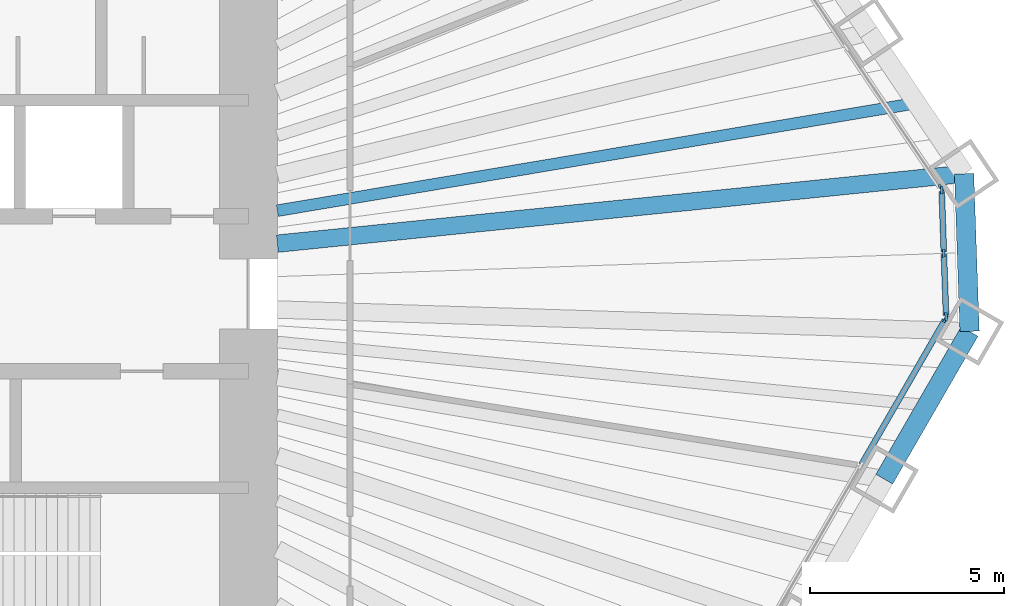
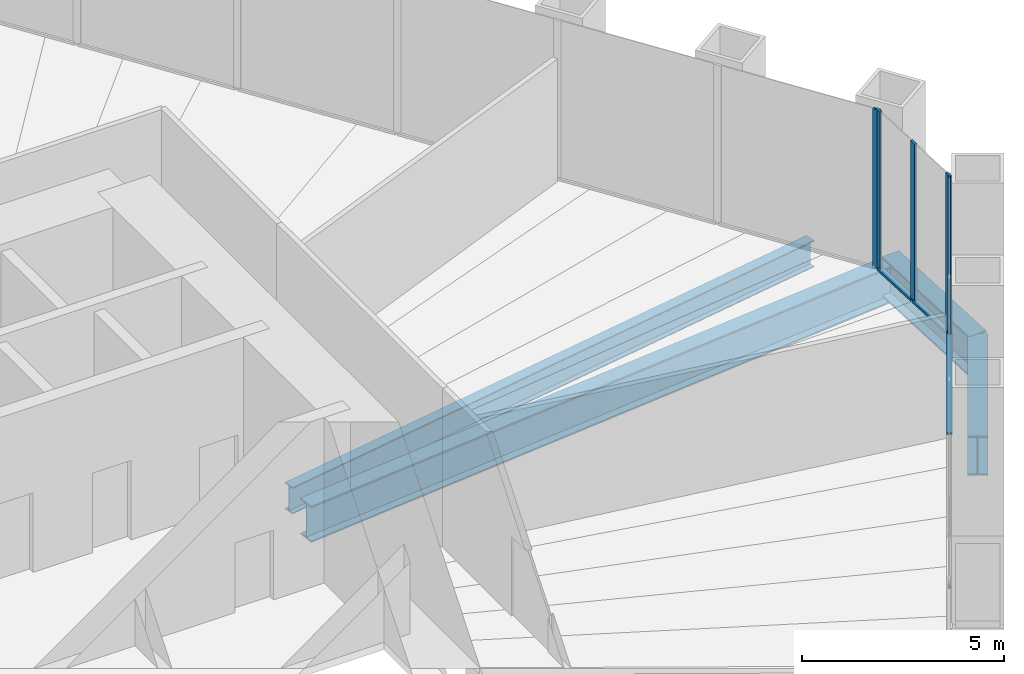
# One storey, part 5 of 13: 8 members, 4 beams, 3 elements without a shape of their own.
"""IFC4 building model written with IfcOpenShell, lengths in metres."""

from ifc_helpers import new_model, si_unit, direction, frame, origin, origin_2d, place, context, subcontext, project, spatial, rectangle, i_section, extrude, material, material_profile, profile_set, type_object, element, aggregate, save


model = new_model("IFC4")

# Units and contexts
model_context = context("Model", 3, precision=1e-05, world=origin(), true_north=direction((0.0, 1.0)))
body_context = subcontext(model_context, "Body", "Model", "MODEL_VIEW")
ifc_project = project(units=[si_unit("LENGTHUNIT", "METRE"), si_unit("AREAUNIT", "SQUARE_METRE"), si_unit("VOLUMEUNIT", "CUBIC_METRE"), si_unit("PLANEANGLEUNIT", "RADIAN"), si_unit("MASSUNIT", "GRAM", prefix="KILO")], contexts=[model_context])

# Site, building, storey
site_placement = place(None, origin())
site = spatial("IfcSite", under=ifc_project, at=site_placement, CompositionType="ELEMENT")
building_placement = place(site_placement, origin())
building = spatial("IfcBuilding", under=site, at=building_placement, Name="Qingtian Harvest Tower", CompositionType="ELEMENT")
storey_placement = place(building_placement, frame((0.0, 0.0, 47.0)))
storey = spatial("IfcBuildingStorey", under=building, at=storey_placement, Name="L09", CompositionType="ELEMENT", Elevation=47.0)

# Beams
ifc_material_1 = material(Name="Steel SM570MC", Category="steel")
ifc_material_profile_1 = material_profile(ifc_material_1, i_section(OverallWidth=0.449951171875, OverallDepth=1.10009765625, WebThickness=0.02197265625, FlangeThickness=0.044921875, at=origin_2d()), Name="H1100x450x22x45")
ifc_profile_set_1 = profile_set([ifc_material_profile_1], Name="Steel SM570MC")
beam_type_1 = type_object("IfcBeamType", Name="Corner floor beam FB8 H1100x450x22x45", PredefinedType="BEAM", material=ifc_profile_set_1)
beam_1_placement = place(storey_placement, frame((30.476318359375, 3.100830078125, -0.75), z_axis=(-0.994864371567, -0.101217005423, 0.0), x_axis=(0.101217005423, -0.994864371567, 0.0)))
element("IfcBeam", 1, at=beam_1_placement, inside=storey, type_object=beam_type_1, Name="Floor beam FB8 NE6", PredefinedType="BEAM", context=body_context, shape_type="SweptSolid", body=[
    extrude(i_section(OverallWidth=0.449951171875, OverallDepth=1.10009765625, WebThickness=0.02197265625, FlangeThickness=0.044921875, at=origin_2d()), origin(), (0.0, 0.0, 1.0), 17.81787109375),
])
ifc_material_2 = material(Name="Steel SN490B", Category="steel")
ifc_material_profile_2 = material_profile(ifc_material_2, i_section(OverallWidth=0.300048828125, OverallDepth=0.800048828125, WebThickness=0.013916015625, FlangeThickness=0.02587890625, at=origin_2d()), Name="H800x300x14x26")
ifc_profile_set_2 = profile_set([ifc_material_profile_2], Name="Steel SN490B")
beam_type_2 = type_object("IfcBeamType", Name="Floor joist J1 H800x300x14x26", PredefinedType="JOIST", material=ifc_profile_set_2)
beam_2_placement = place(storey_placement, frame((29.244873046875, 4.926513671875, -0.60009765625), z_axis=(-0.986107238024, -0.166109948877, 0.0), x_axis=(0.166109948877, -0.986107238024, 0.0)))
element("IfcBeam", 2, at=beam_2_placement, inside=storey, type_object=beam_type_2, Name="Floor joist J1 NE5", PredefinedType="JOIST", context=body_context, shape_type="SweptSolid", body=[
    extrude(i_section(OverallWidth=0.300048828125, OverallDepth=0.800048828125, WebThickness=0.013916015625, FlangeThickness=0.02587890625, at=origin_2d()), origin(), (0.0, 0.0, 1.0), 16.727294921875),
])

# Curtain wall, member
ifc_material_3 = material(Name="Bronze-anodised aluminium curtain wall", Category="aluminium")
curtain_wall_type = type_object("IfcCurtainWallType", Name="Curtain wall CW2 farm reception", PredefinedType="USERDEFINED", material=ifc_material_3)
curtain_wall_1_placement = place(storey_placement, origin())
curtain_wall_1 = element("IfcCurtainWall", 3, at=curtain_wall_1_placement, inside=storey, type_object=curtain_wall_type, Name="Curtain wall CW2 L09 NE0-5", ObjectType="RECESSED CURTAIN WALL", PredefinedType="USERDEFINED")
ifc_material_4 = material(Name="Bronze-anodised aluminium mullion", Category="aluminium")
ifc_material_profile_3 = material_profile(ifc_material_4, rectangle(XDim=0.06494140625, YDim=0.199951171875, at=origin_2d()), Name="AL 65x200")
ifc_profile_set_3 = profile_set([ifc_material_profile_3], Name="Bronze-anodised aluminium mullion")
member_type_1 = type_object("IfcMemberType", Name="Mullion CWM 65x200", PredefinedType="MULLION", material=ifc_profile_set_3)
member_1_placement = place(storey_placement, frame((29.8779296875, 2.736328125, 0.0), z_axis=(0.0, 0.0, 1.0), x_axis=(0.829037572555, 0.559192903471, 0.0)))
member_1 = element("IfcMember", 4, at=member_1_placement, type_object=member_type_1, Name="CW2 mullion 7", PredefinedType="MULLION", context=body_context, shape_type="SweptSolid", body=[
    extrude(rectangle(XDim=0.06494140625, YDim=0.199951171875, at=origin_2d()), origin(), (0.0, 0.0, 1.0), 4.800048828125),
])
aggregate(curtain_wall_1, [member_1])

# Curtain wall, members
curtain_wall_2_placement = place(storey_placement, origin())
curtain_wall_2 = element("IfcCurtainWall", 5, at=curtain_wall_2_placement, inside=storey, type_object=curtain_wall_type, Name="Curtain wall CW2 L09 NEC", ObjectType="RECESSED CURTAIN WALL", PredefinedType="USERDEFINED")
member_2_placement = place(storey_placement, frame((29.897216796875, 2.677001953125, 0.0), z_axis=(0.0, 0.0, 1.0), x_axis=(0.999390827019, 0.034899496703, 0.0)))
member_2 = element("IfcMember", 6, at=member_2_placement, type_object=member_type_1, Name="CW2 mullion 1", PredefinedType="MULLION", context=body_context, shape_type="SweptSolid", body=[
    extrude(rectangle(XDim=0.06494140625, YDim=0.199951171875, at=origin_2d()), origin(), (0.0, 0.0, 1.0), 4.800048828125),
])
member_3_placement = place(storey_placement, frame((29.9541015625, 1.046142578125, 0.0), z_axis=(0.0, 0.0, 1.0), x_axis=(0.999390827019, 0.034899496703, 0.0)))
member_3 = element("IfcMember", 7, at=member_3_placement, type_object=member_type_1, Name="CW2 mullion 2", PredefinedType="MULLION", context=body_context, shape_type="SweptSolid", body=[
    extrude(rectangle(XDim=0.06494140625, YDim=0.199951171875, at=origin_2d()), origin(), (0.0, 0.0, 1.0), 4.800048828125),
])
member_4_placement = place(storey_placement, frame((30.010986328125, -0.5849609375, 0.0), z_axis=(0.0, 0.0, 1.0), x_axis=(0.999390827019, 0.034899496703, 0.0)))
member_4 = element("IfcMember", 8, at=member_4_placement, type_object=member_type_1, Name="CW2 mullion 3", PredefinedType="MULLION", context=body_context, shape_type="SweptSolid", body=[
    extrude(rectangle(XDim=0.06494140625, YDim=0.199951171875, at=origin_2d()), origin(), (0.0, 0.0, 1.0), 4.800048828125),
])

# Curtain wall, member
curtain_wall_3_placement = place(storey_placement, origin())
curtain_wall_3 = element("IfcCurtainWall", 9, at=curtain_wall_3_placement, inside=storey, type_object=curtain_wall_type, Name="Curtain wall CW2 L09 SE0-5", ObjectType="RECESSED CURTAIN WALL", PredefinedType="USERDEFINED")
member_5_placement = place(storey_placement, frame((29.995849609375, -0.6455078125, 0.0), z_axis=(0.0, 0.0, 1.0), x_axis=(0.866025403784, -0.5, 0.0)))
member_5 = element("IfcMember", 10, at=member_5_placement, type_object=member_type_1, Name="CW2 mullion 1", PredefinedType="MULLION", context=body_context, shape_type="SweptSolid", body=[
    extrude(rectangle(XDim=0.06494140625, YDim=0.199951171875, at=origin_2d()), origin(), (0.0, 0.0, 1.0), 4.800048828125),
])

# Beams
ifc_material_5 = material(Name="Steel SM570MC", Category="steel")
ifc_material_profile_4 = material_profile(ifc_material_5, i_section(OverallWidth=0.5, OverallDepth=1.199951171875, WebThickness=0.02490234375, FlangeThickness=0.050048828125, at=origin_2d()), Name="H1200x500x25x50")
ifc_profile_set_4 = profile_set([ifc_material_profile_4], Name="Steel SM570MC")
beam_type_3 = type_object("IfcBeamType", Name="Spandrel beam SB1 H1200x500x25x50", PredefinedType="SPANDREL", material=ifc_profile_set_4)
beam_3_placement = place(storey_placement, frame((30.476318359375, 3.100830078125, -0.60009765625), z_axis=(0.03490639867, -0.999390585973, 0.0), x_axis=(0.999390585973, 0.03490639867, 0.0)))
element("IfcBeam", 11, at=beam_3_placement, inside=storey, type_object=beam_type_3, Name="Spandrel SB1 NEC", PredefinedType="SPANDREL", context=body_context, shape_type="SweptSolid", body=[
    extrude(i_section(OverallWidth=0.5, OverallDepth=1.199951171875, WebThickness=0.02490234375, FlangeThickness=0.050048828125, at=origin_2d()), origin(), (0.0, 0.0, 1.0), 4.070556640625),
])
beam_4_placement = place(storey_placement, frame((30.618408203125, -0.96728515625, -0.60009765625), z_axis=(-0.50001992892, -0.866013897511, 0.0), x_axis=(0.866013897511, -0.50001992892, 0.0)))
element("IfcBeam", 12, at=beam_4_placement, inside=storey, type_object=beam_type_3, Name="Spandrel SB1 SE0", PredefinedType="SPANDREL", context=body_context, shape_type="SweptSolid", body=[
    extrude(i_section(OverallWidth=0.5, OverallDepth=1.199951171875, WebThickness=0.02490234375, FlangeThickness=0.050048828125, at=origin_2d()), origin(), (0.0, 0.0, 1.0), 4.404541015625),
])

# Member
ifc_material_6 = material(Name="Bronze-anodised aluminium transom", Category="aluminium")
ifc_material_profile_5 = material_profile(ifc_material_6, rectangle(XDim=0.14990234375, YDim=0.06494140625, at=origin_2d()), Name="AL 65x150")
ifc_profile_set_5 = profile_set([ifc_material_profile_5], Name="Bronze-anodised aluminium transom")
member_type_2 = type_object("IfcMemberType", Name="Transom CWT 65x150", PredefinedType="USERDEFINED", material=ifc_profile_set_5)
member_6_placement = place(storey_placement, frame((29.898193359375, 2.64453125, 0.032470703125), z_axis=(0.034902326647, -0.999390728191, 0.0), x_axis=(0.999390728191, 0.034902326647, 0.0)))
member_6 = element("IfcMember", 13, at=member_6_placement, type_object=member_type_2, Name="CW2 transom 1.1", ObjectType="TRANSOM", PredefinedType="USERDEFINED", context=body_context, shape_type="SweptSolid", body=[
    extrude(rectangle(XDim=0.14990234375, YDim=0.06494140625, at=origin_2d()), origin(), (0.0, 0.0, 1.0), 1.56689453125),
])

member_7_placement = place(storey_placement, frame((29.955322265625, 1.013427734375, 0.032470703125), z_axis=(0.034902326647, -0.999390728191, 0.0), x_axis=(0.999390728191, 0.034902326647, 0.0)))
member_7 = element("IfcMember", 14, at=member_7_placement, type_object=member_type_2, Name="CW2 transom 2.1", ObjectType="TRANSOM", PredefinedType="USERDEFINED", context=body_context, shape_type="SweptSolid", body=[
    extrude(rectangle(XDim=0.14990234375, YDim=0.06494140625, at=origin_2d()), origin(), (0.0, 0.0, 1.0), 1.56689453125),
])

aggregate(curtain_wall_2, [member_2, member_3, member_4, member_6, member_7])

member_8_placement = place(storey_placement, frame((29.979736328125, -0.673583984375, 0.032470703125), z_axis=(-0.499985768833, -0.866033619997, 0.0), x_axis=(0.866033619997, -0.499985768833, 0.0)))
member_8 = element("IfcMember", 15, at=member_8_placement, type_object=member_type_2, Name="CW2 transom 1.1", ObjectType="TRANSOM", PredefinedType="USERDEFINED", context=body_context, shape_type="SweptSolid", body=[
    extrude(rectangle(XDim=0.14990234375, YDim=0.06494140625, at=origin_2d()), origin(), (0.0, 0.0, 1.0), 4.307373046875),
])

aggregate(curtain_wall_3, [member_5, member_8])

save(model, "model.ifc")
